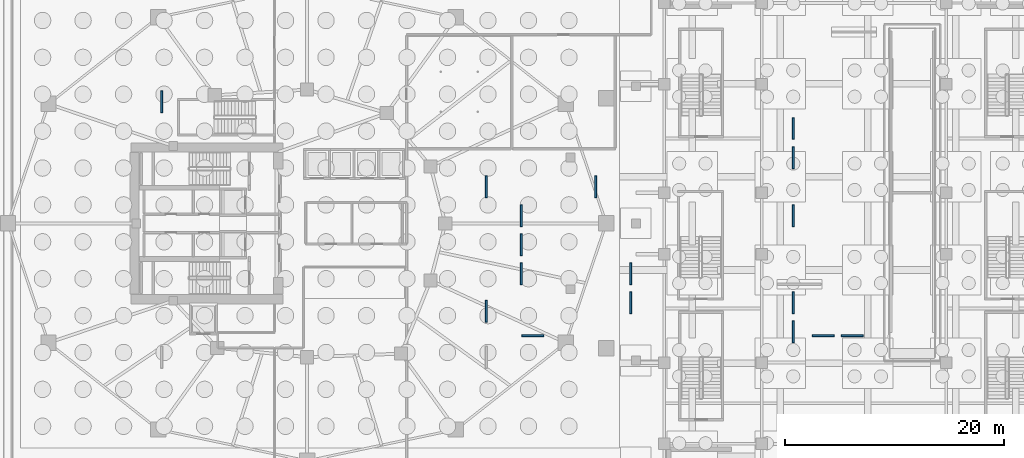
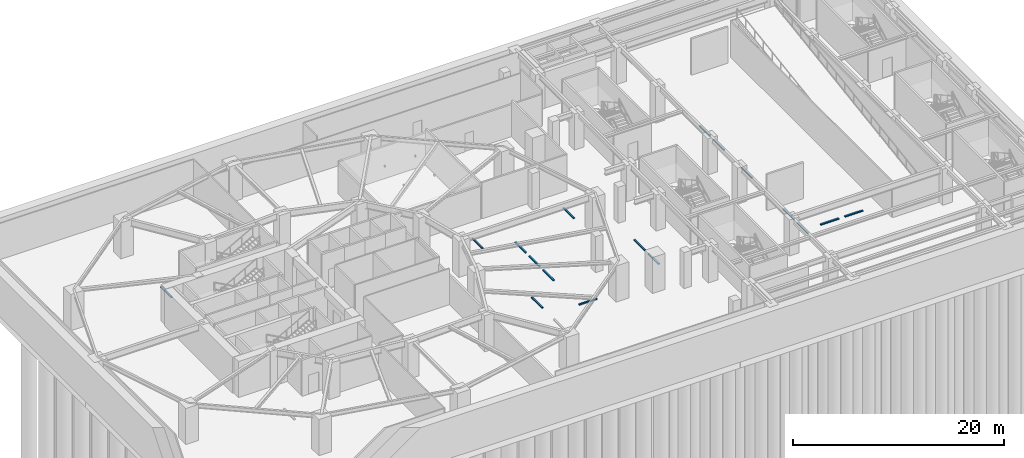
# One storey, part 13 of 19: 17 discrete accessories.
"""IFC4 building model written with IfcOpenShell, lengths in metres."""

from ifc_helpers import new_model, si_unit, direction, frame, origin, origin_2d, place, context, subcontext, project, spatial, rectangle, extrude, material, type_object, element, save


model = new_model("IFC4")

# Units and contexts
model_context = context("Model", 3, precision=1e-05, world=origin(), true_north=direction((0.0, 1.0)))
body_context = subcontext(model_context, "Body", "Model", "MODEL_VIEW")
ifc_project = project(units=[si_unit("LENGTHUNIT", "METRE"), si_unit("AREAUNIT", "SQUARE_METRE"), si_unit("VOLUMEUNIT", "CUBIC_METRE"), si_unit("PLANEANGLEUNIT", "RADIAN"), si_unit("MASSUNIT", "GRAM", prefix="KILO")], contexts=[model_context])

# Site, building, storey
site_placement = place(None, origin())
site = spatial("IfcSite", under=ifc_project, at=site_placement, CompositionType="ELEMENT")
building_placement = place(site_placement, origin())
building = spatial("IfcBuilding", under=site, at=building_placement, Name="Kolvaren Gate Tower and Convention Centre", CompositionType="ELEMENT")
storey_placement = place(building_placement, frame((0.0, 0.0, -13.5)))
storey = spatial("IfcBuildingStorey", under=building, at=storey_placement, Name="B3", CompositionType="ELEMENT", Elevation=-13.5)

# Discrete accessories
ifc_material = material(Name="Concrete C40/50", Category="concrete")
discrete_accessory_type = type_object("IfcDiscreteAccessoryType", Name="ARCH-ACC-PARKING-BAY", PredefinedType="USERDEFINED", material=ifc_material)
for number, where, z_axis, x_axis, name in (
    (1, (46.449951171875, 19.0, 0.0), (0.0, 0.0, 1.0), (0.0, 1.0, 0.0), "Accessible Parking Bay Wheel Stop BAY-B3-003"),
    (2, (16.85009765625, 38.10009765625, 0.0), (0.0, 0.0, 1.0), (0.0, 1.0, 0.0), "Parking Bay Wheel Stop BAY-B3-004"),
    (3, (46.449951171875, 30.35009765625, 0.0), (0.0, 0.0, 1.0), (0.0, 1.0, 0.0), "Parking Bay Wheel Stop BAY-B3-005"),
    (4, (49.64990234375, 22.39990234375, 0.0), (0.0, 0.0, 1.0), (0.0, 1.0, 0.0), "Parking Bay Wheel Stop BAY-B3-006"),
    (5, (49.64990234375, 25.050048828125, 0.0), (0.0, 0.0, 1.0), (0.0, 1.0, 0.0), "Parking Bay Wheel Stop BAY-B3-007"),
    (6, (49.64990234375, 27.699951171875, 0.0), (0.0, 0.0, 1.0), (0.0, 1.0, 0.0), "Parking Bay Wheel Stop BAY-B3-008"),
    (7, (56.449951171875, 30.35009765625, 0.0), (0.0, 0.0, 1.0), (0.0, 1.0, 0.0), "Parking Bay Wheel Stop BAY-B3-009"),
    (8, (59.64990234375, 19.75, 0.0), (0.0, 0.0, 1.0), (0.0, 1.0, 0.0), "Parking Bay Wheel Stop BAY-B3-010"),
    (9, (59.64990234375, 22.39990234375, 0.0), (0.0, 0.0, 1.0), (0.0, 1.0, 0.0), "Parking Bay Wheel Stop BAY-B3-011"),
    (10, (74.449951171875, 17.10009765625, 0.0), (0.0, 0.0, 1.0), (0.0, 1.0, 0.0), "Parking Bay Wheel Stop BAY-B3-012"),
    (11, (74.449951171875, 19.75, 0.0), (0.0, 0.0, 1.0), (0.0, 1.0, 0.0), "Parking Bay Wheel Stop BAY-B3-013"),
    (12, (74.449951171875, 27.699951171875, 0.0), (0.0, 0.0, 1.0), (0.0, 1.0, 0.0), "Parking Bay Wheel Stop BAY-B3-014"),
    (13, (74.449951171875, 33.0, 0.0), (0.0, 0.0, 1.0), (0.0, 1.0, 0.0), "Parking Bay Wheel Stop BAY-B3-015"),
    (14, (74.449951171875, 35.64990234375, 0.0), (0.0, 0.0, 1.0), (0.0, 1.0, 0.0), "Parking Bay Wheel Stop BAY-B3-016"),
    (15, (50.699951171875, 16.75, 0.0), (0.0, 0.0, 1.0), (1.0, 0.0, 0.0), "Parking Bay Wheel Stop BAY-B3-017"),
    (16, (77.199951171875, 16.75, 0.0), (0.0, 0.0, 1.0), (1.0, 0.0, 0.0), "Parking Bay Wheel Stop BAY-B3-018"),
    (17, (79.85009765625, 16.75, 0.0), (0.0, 0.0, 1.0), (1.0, 0.0, 0.0), "Parking Bay Wheel Stop BAY-B3-019"),
):
    element("IfcDiscreteAccessory", number, at=place(storey_placement, frame(where, z_axis=z_axis, x_axis=x_axis)), inside=storey, type_object=discrete_accessory_type, Name=name, ObjectType="WHEEL_STOP", PredefinedType="USERDEFINED", context=body_context, shape_type="SweptSolid", body=[
        extrude(rectangle(XDim=2.0, YDim=0.179931640625, at=origin_2d()), origin(), (0.0, 0.0, 1.0), 0.1201171875),
    ])

save(model, "model.ifc")
